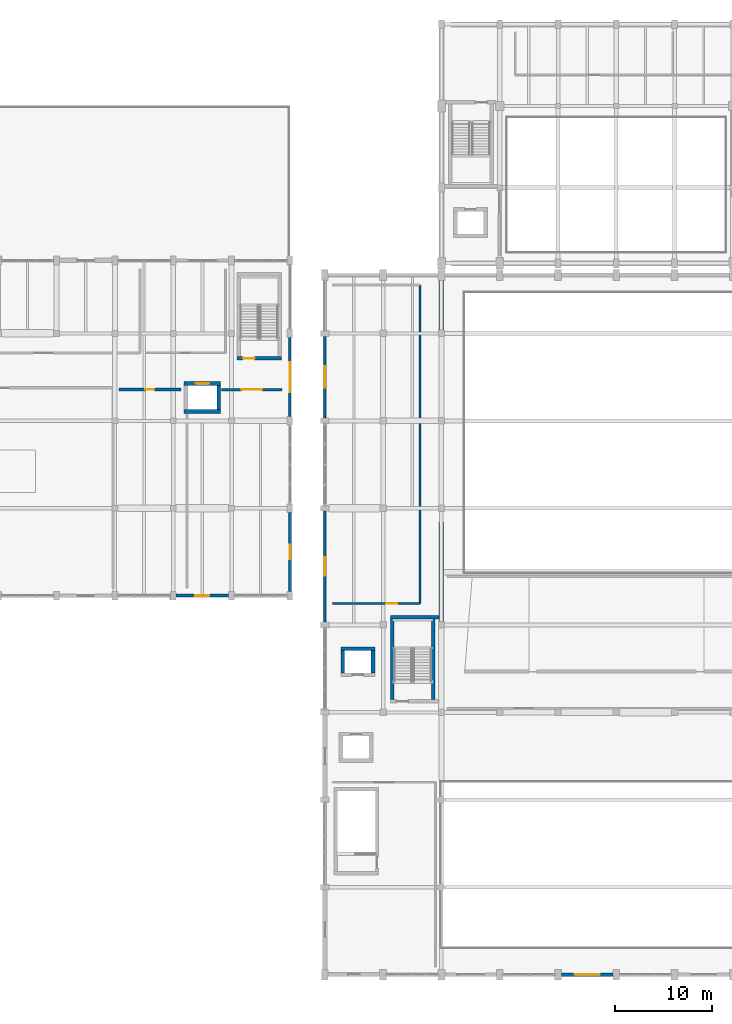
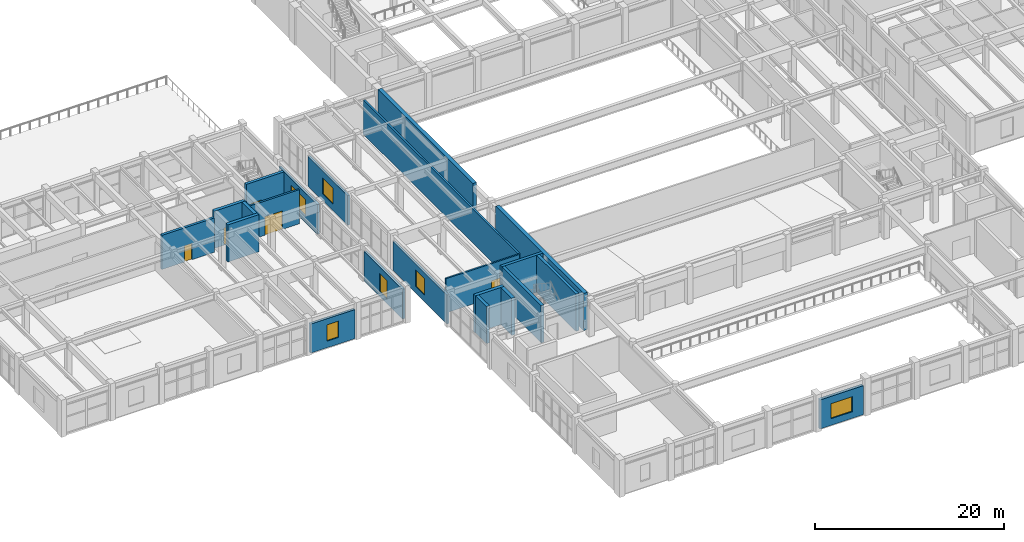
# One storey, part 57 of 80: 22 walls, 6 windows, 5 doors, 11 openings.
"""IFC4 building model written with IfcOpenShell, lengths in metres."""

from ifc_helpers import new_model, si_unit, direction, frame, frame_2d, origin, place, context, subcontext, project, spatial, rectangle, extrude, material, layer, layer_set, type_object, element, fill, save


model = new_model("IFC4")

# Units and contexts
model_context = context("Model", 3, precision=1e-05, world=origin(), true_north=direction((0.0, 1.0)))
body_context = subcontext(model_context, "Body", "Model", "MODEL_VIEW")
ifc_project = project(units=[si_unit("LENGTHUNIT", "METRE"), si_unit("AREAUNIT", "SQUARE_METRE"), si_unit("VOLUMEUNIT", "CUBIC_METRE"), si_unit("PLANEANGLEUNIT", "RADIAN"), si_unit("MASSUNIT", "GRAM", prefix="KILO")], contexts=[model_context])

# Site, building, storey
site_placement = place(None, origin())
site = spatial("IfcSite", under=ifc_project, at=site_placement, CompositionType="ELEMENT")
building_placement = place(site_placement, origin())
building = spatial("IfcBuilding", under=site, at=building_placement, Name="Vaelkrest Opera House", CompositionType="ELEMENT")
storey_placement = place(building_placement, frame((0.0, 0.0, 15.0)))
storey = spatial("IfcBuildingStorey", under=building, at=storey_placement, Name="L03", CompositionType="ELEMENT", Elevation=15.0)

# Wall, opening, window
ifc_material_1 = material(Name="Douglas fir glulam GL28h", Category="wood")
ifc_layer_1 = layer(ifc_material_1, 0.2548828125)
ifc_layer_set_1 = layer_set([ifc_layer_1], Name="Douglas fir glulam GL28h")
wall_type_1 = type_object("IfcWallType", Name="EW01", PredefinedType="STANDARD", material=ifc_layer_set_1)
wall_1_placement = place(storey_placement, frame((-30.0, -19.501953125, 0.0), z_axis=(0.0, 0.0, 1.0), x_axis=(0.0, 1.0, 0.0)))
wall_1 = element("IfcWall", 1, at=wall_1_placement, inside=storey, type_object=wall_type_1, Name="Exterior facade wall EW-V1-L03-0081", PredefinedType="STANDARD", context=body_context, shape_type="SweptSolid", body=[
    extrude(rectangle(XDim=11.404052734375, YDim=0.2548828125, at=frame_2d((5.7021484375, 0.0))), origin(), (0.0, 0.0, 1.0), 3.7451171875),
])
opening_1_placement = place(wall_1_placement, frame((4.751953125, 0.0, 0.85009765625)))
opening_1 = element("IfcOpeningElement", 2, at=opening_1_placement, cuts=wall_1, Name="Opening WN042", PredefinedType="OPENING", context=body_context, shape_type="SweptSolid", body=[
    extrude(rectangle(XDim=1.89990234375, YDim=2.10009765625, at=frame_2d((0.949951171875, 1.050048828125))), frame((0.0, 0.137451171875, 0.0), z_axis=(0.0, -1.0, 0.0), x_axis=(1.0, 0.0, 0.0)), (0.0, 0.0, 1.0), 0.27490234375),
])
ifc_material_2 = material(Name="Double low-E insulated glazing", Category="glass")
window_type_1 = type_object("IfcWindowType", Name="WT16", PartitioningType="SINGLE_PANEL", PredefinedType="WINDOW", material=ifc_material_2)
window_1_placement = place(opening_1_placement, origin())
window_1 = element("IfcWindow", 3, at=window_1_placement, inside=storey, type_object=window_type_1, Name="Facade window WN042", OverallHeight=2.10009765625, OverallWidth=1.89990234375, PartitioningType="SINGLE_PANEL", PredefinedType="WINDOW", context=body_context, shape_type="SweptSolid", body=[
    extrude(rectangle(XDim=1.89990234375, YDim=2.10009765625, at=frame_2d((0.949951171875, 1.050048828125))), frame((0.0, 0.030029296875, 0.0), z_axis=(0.0, -1.0, 0.0), x_axis=(1.0, 0.0, 0.0)), (0.0, 0.0, 1.0), 0.06005859375),
])
fill(opening_1, window_1)

ifc_layer_2 = layer(ifc_material_1, 0.27490234375)
ifc_layer_set_2 = layer_set([ifc_layer_2], Name="Douglas fir glulam GL28h")
wall_type_2 = type_object("IfcWallType", Name="EW02", PredefinedType="STANDARD", material=ifc_layer_set_2)
wall_2_placement = place(storey_placement, frame((-30.0, 1.498046875, 0.0), z_axis=(0.0, 0.0, 1.0), x_axis=(0.0, 1.0, 0.0)))
wall_2 = element("IfcWall", 4, at=wall_2_placement, inside=storey, type_object=wall_type_2, Name="Exterior facade wall EW-V1-L03-0082", PredefinedType="STANDARD", context=body_context, shape_type="SweptSolid", body=[
    extrude(rectangle(XDim=8.404052734375, YDim=0.27490234375, at=frame_2d((4.2021484375, 0.0))), origin(), (0.0, 0.0, 1.0), 3.8291015625),
])
opening_2_placement = place(wall_2_placement, frame((3.10205078125, 0.0, 0.85009765625)))
opening_2 = element("IfcOpeningElement", 5, at=opening_2_placement, cuts=wall_2, Name="Opening WN043", PredefinedType="OPENING", context=body_context, shape_type="SweptSolid", body=[
    extrude(rectangle(XDim=2.199951171875, YDim=2.10009765625, at=frame_2d((1.10009765625, 1.050048828125))), frame((0.0, 0.1474609375, 0.0), z_axis=(0.0, -1.0, 0.0), x_axis=(1.0, 0.0, 0.0)), (0.0, 0.0, 1.0), 0.294921875),
])
window_type_2 = type_object("IfcWindowType", Name="WT17", PartitioningType="SINGLE_PANEL", PredefinedType="WINDOW", material=ifc_material_2)
window_2_placement = place(opening_2_placement, origin())
window_2 = element("IfcWindow", 6, at=window_2_placement, inside=storey, type_object=window_type_2, Name="Facade window WN043", OverallHeight=2.10009765625, OverallWidth=2.199951171875, PartitioningType="SINGLE_PANEL", PredefinedType="WINDOW", context=body_context, shape_type="SweptSolid", body=[
    extrude(rectangle(XDim=2.199951171875, YDim=2.10009765625, at=frame_2d((1.10009765625, 1.050048828125))), frame((0.0, 0.030029296875, 0.0), z_axis=(0.0, -1.0, 0.0), x_axis=(1.0, 0.0, 0.0)), (0.0, 0.0, 1.0), 0.06005859375),
])
fill(opening_2, window_2)

wall_3_placement = place(storey_placement, frame((-33.60009765625, 9.751953125, 0.0), z_axis=(0.0, 0.0, 1.0), x_axis=(0.0, -1.0, 0.0)))
wall_3 = element("IfcWall", 7, at=wall_3_placement, inside=storey, type_object=wall_type_2, Name="Exterior facade wall EW-V3-L03-0192", PredefinedType="STANDARD", context=body_context, shape_type="SweptSolid", body=[
    extrude(rectangle(XDim=8.10400390625, YDim=0.27490234375, at=frame_2d((4.052001953125, 0.0))), origin(), (0.0, 0.0, 1.0), 3.8291015625),
])
opening_3_placement = place(wall_3_placement, frame((2.501953125, 0.0, 0.85009765625)))
opening_3 = element("IfcOpeningElement", 8, at=opening_3_placement, cuts=wall_3, Name="Opening WN098", PredefinedType="OPENING", context=body_context, shape_type="SweptSolid", body=[
    extrude(rectangle(XDim=3.10009765625, YDim=2.10009765625, at=frame_2d((1.550048828125, 1.050048828125))), frame((0.0, 0.1474609375, 0.0), z_axis=(0.0, -1.0, 0.0), x_axis=(1.0, 0.0, 0.0)), (0.0, 0.0, 1.0), 0.294921875),
])
window_type_3 = type_object("IfcWindowType", Name="WT20", PartitioningType="SINGLE_PANEL", PredefinedType="WINDOW", material=ifc_material_2)
window_3_placement = place(opening_3_placement, origin())
window_3 = element("IfcWindow", 9, at=window_3_placement, inside=storey, type_object=window_type_3, Name="Facade window WN098", OverallHeight=2.10009765625, OverallWidth=3.10009765625, PartitioningType="SINGLE_PANEL", PredefinedType="WINDOW", context=body_context, shape_type="SweptSolid", body=[
    extrude(rectangle(XDim=3.10009765625, YDim=2.10009765625, at=frame_2d((1.550048828125, 1.050048828125))), frame((0.0, 0.030029296875, 0.0), z_axis=(0.0, -1.0, 0.0), x_axis=(1.0, 0.0, 0.0)), (0.0, 0.0, 1.0), 0.06005859375),
])
fill(opening_3, window_3)

ifc_layer_3 = layer(ifc_material_1, 0.294921875)
ifc_layer_set_3 = layer_set([ifc_layer_3], Name="Douglas fir glulam GL28h")
wall_type_3 = type_object("IfcWallType", Name="EW03", PredefinedType="STANDARD", material=ifc_layer_set_3)
wall_4_placement = place(storey_placement, frame((-33.60009765625, -8.248046875, 0.0), z_axis=(0.0, 0.0, 1.0), x_axis=(0.0, -1.0, 0.0)))
wall_4 = element("IfcWall", 10, at=wall_4_placement, inside=storey, type_object=wall_type_3, Name="Exterior facade wall EW-V3-L03-0193", PredefinedType="STANDARD", context=body_context, shape_type="SweptSolid", body=[
    extrude(rectangle(XDim=8.10400390625, YDim=0.294921875, at=frame_2d((4.052001953125, 0.0))), origin(), (0.0, 0.0, 1.0), 3.8291015625),
])
opening_4_placement = place(wall_4_placement, frame((3.302001953125, 0.0, 0.60009765625)))
opening_4 = element("IfcOpeningElement", 11, at=opening_4_placement, cuts=wall_4, Name="Opening WN099", PredefinedType="OPENING", context=body_context, shape_type="SweptSolid", body=[
    extrude(rectangle(XDim=1.5, YDim=2.35009765625, at=frame_2d((0.75, 1.175048828125))), frame((0.0, 0.157470703125, 0.0), z_axis=(0.0, -1.0, 0.0), x_axis=(1.0, 0.0, 0.0)), (0.0, 0.0, 1.0), 0.31494140625),
])
window_type_4 = type_object("IfcWindowType", Name="WT21", PartitioningType="SINGLE_PANEL", PredefinedType="WINDOW", material=ifc_material_2)
window_4_placement = place(opening_4_placement, origin())
window_4 = element("IfcWindow", 12, at=window_4_placement, inside=storey, type_object=window_type_4, Name="Facade window WN099", OverallHeight=2.35009765625, OverallWidth=1.5, PartitioningType="SINGLE_PANEL", PredefinedType="WINDOW", context=body_context, shape_type="SweptSolid", body=[
    extrude(rectangle(XDim=1.5, YDim=2.35009765625, at=frame_2d((0.75, 1.175048828125))), frame((0.0, 0.030029296875, 0.0), z_axis=(0.0, -1.0, 0.0), x_axis=(1.0, 0.0, 0.0)), (0.0, 0.0, 1.0), 0.06005859375),
])
fill(opening_4, window_4)

ifc_material_3 = material(Name="American black walnut acoustic timber", Category="wood")
ifc_layer_4 = layer(ifc_material_3, 0.31494140625)
ifc_layer_set_4 = layer_set([ifc_layer_4], Name="American black walnut acoustic timber")
wall_type_4 = type_object("IfcWallType", Name="EW04", PredefinedType="STANDARD", material=ifc_layer_set_4)
wall_5_placement = place(storey_placement, frame((-39.89794921875, -16.800048828125, 0.0), z_axis=(0.0, 0.0, 1.0), x_axis=(-1.0, 0.0, 0.0)))
wall_5 = element("IfcWall", 13, at=wall_5_placement, inside=storey, type_object=wall_type_4, Name="Exterior facade wall EW-V3-L03-0184", PredefinedType="STANDARD", context=body_context, shape_type="SweptSolid", body=[
    extrude(rectangle(XDim=5.404052734375, YDim=0.31494140625, at=frame_2d((2.7021484375, 0.0))), origin(), (0.0, 0.0, 1.0), 3.7451171875),
])
opening_5_placement = place(wall_5_placement, frame((1.97705078125, 0.0, 0.85009765625)))
opening_5 = element("IfcOpeningElement", 14, at=opening_5_placement, cuts=wall_5, Name="Opening WN092", PredefinedType="OPENING", context=body_context, shape_type="SweptSolid", body=[
    extrude(rectangle(XDim=1.449951171875, YDim=2.10009765625, at=frame_2d((0.72509765625, 1.050048828125))), frame((0.0, 0.16748046875, 0.0), z_axis=(0.0, -1.0, 0.0), x_axis=(1.0, 0.0, 0.0)), (0.0, 0.0, 1.0), 0.3349609375),
])
window_type_5 = type_object("IfcWindowType", Name="WT14", PartitioningType="SINGLE_PANEL", PredefinedType="WINDOW", material=ifc_material_2)
window_5_placement = place(opening_5_placement, origin())
window_5 = element("IfcWindow", 15, at=window_5_placement, inside=storey, type_object=window_type_5, Name="Facade window WN092", OverallHeight=2.10009765625, OverallWidth=1.449951171875, PartitioningType="SINGLE_PANEL", PredefinedType="WINDOW", context=body_context, shape_type="SweptSolid", body=[
    extrude(rectangle(XDim=1.449951171875, YDim=2.10009765625, at=frame_2d((0.72509765625, 1.050048828125))), frame((0.0, 0.030029296875, 0.0), z_axis=(0.0, -1.0, 0.0), x_axis=(1.0, 0.0, 0.0)), (0.0, 0.0, 1.0), 0.06005859375),
])
fill(opening_5, window_5)

ifc_layer_5 = layer(ifc_material_3, 0.360107421875)
ifc_layer_set_5 = layer_set([ifc_layer_5], Name="American black walnut acoustic timber")
wall_type_5 = type_object("IfcWallType", Name="EW06", PredefinedType="STANDARD", material=ifc_layer_set_5)
wall_6_placement = place(storey_placement, frame((-0.347900390625, -55.800048828125, 0.0), z_axis=(0.0, 0.0, 1.0), x_axis=(-1.0, 0.0, 0.0)))
wall_6 = element("IfcWall", 16, at=wall_6_placement, inside=storey, type_object=wall_type_5, Name="Exterior facade wall EW-V1-L03-0076", PredefinedType="STANDARD", context=body_context, shape_type="SweptSolid", body=[
    extrude(rectangle(XDim=5.30419921875, YDim=0.360107421875, at=frame_2d((2.652099609375, 0.0))), origin(), (0.0, 0.0, 1.0), 3.7451171875),
])
opening_6_placement = place(wall_6_placement, frame((1.35205078125, 0.0, 0.85009765625)))
opening_6 = element("IfcOpeningElement", 17, at=opening_6_placement, cuts=wall_6, Name="Opening WN037", PredefinedType="OPENING", context=body_context, shape_type="SweptSolid", body=[
    extrude(rectangle(XDim=2.60009765625, YDim=1.949951171875, at=frame_2d((1.300048828125, 0.97509765625))), frame((0.0, 0.18994140625, 0.0), z_axis=(0.0, -1.0, 0.0), x_axis=(1.0, 0.0, 0.0)), (0.0, 0.0, 1.0), 0.380126953125),
])
window_type_6 = type_object("IfcWindowType", Name="WT11", PartitioningType="SINGLE_PANEL", PredefinedType="WINDOW", material=ifc_material_2)
window_6_placement = place(opening_6_placement, origin())
window_6 = element("IfcWindow", 18, at=window_6_placement, inside=storey, type_object=window_type_6, Name="Facade window WN037", OverallHeight=1.949951171875, OverallWidth=2.60009765625, PartitioningType="SINGLE_PANEL", PredefinedType="WINDOW", context=body_context, shape_type="SweptSolid", body=[
    extrude(rectangle(XDim=2.60009765625, YDim=1.949951171875, at=frame_2d((1.300048828125, 0.97509765625))), frame((0.0, 0.030029296875, 0.0), z_axis=(0.0, -1.0, 0.0), x_axis=(1.0, 0.0, 0.0)), (0.0, 0.0, 1.0), 0.06005859375),
])
fill(opening_6, window_6)

# Wall, opening, door
ifc_material_4 = material(Name="Gypsum acoustic board", Category="gypsum")
ifc_layer_6 = layer(ifc_material_4, 0.195068359375)
ifc_layer_set_6 = layer_set([ifc_layer_6], Name="Gypsum acoustic board")
wall_type_6 = type_object("IfcWallType", Name="PT06", PredefinedType="PARTITIONING", material=ifc_layer_set_6)
wall_7_placement = place(storey_placement, frame((-29.199951171875, -17.60009765625, 0.0), z_axis=(0.0, 0.0, 1.0), x_axis=(1.0, 0.0, 0.0)))
wall_7 = element("IfcWall", 19, at=wall_7_placement, inside=storey, type_object=wall_type_6, Name="Interior partition PT-V1-L03-0090", PredefinedType="PARTITIONING", context=body_context, shape_type="SweptSolid", body=[
    extrude(rectangle(XDim=9.0, YDim=0.195068359375, at=frame_2d((4.5, 0.0))), origin(), (0.0, 0.0, 1.0), 4.419921875),
])
opening_7_placement = place(wall_7_placement, frame((5.535888671875, 0.0, 0.0)))
opening_7 = element("IfcOpeningElement", 20, at=opening_7_placement, cuts=wall_7, Name="Opening D036", PredefinedType="OPENING", context=body_context, shape_type="SweptSolid", body=[
    extrude(rectangle(XDim=1.10009765625, YDim=2.199951171875, at=frame_2d((0.550048828125, 1.10009765625))), frame((0.0, 0.107421875, 0.0), z_axis=(0.0, -1.0, 0.0), x_axis=(1.0, 0.0, 0.0)), (0.0, 0.0, 1.0), 0.215087890625),
])
door_type_1 = type_object("IfcDoorType", Name="DT06", OperationType="NOTDEFINED", PredefinedType="DOOR", material=ifc_material_3)
door_1_placement = place(opening_7_placement, origin())
door_1 = element("IfcDoor", 21, at=door_1_placement, inside=storey, type_object=door_type_1, Name="Interior door D036 (Lecture Recital Salon)", OperationType="SINGLE_SWING_LEFT", OverallHeight=2.199951171875, OverallWidth=1.10009765625, PredefinedType="DOOR", context=body_context, shape_type="SweptSolid", body=[
    extrude(rectangle(XDim=1.10009765625, YDim=2.199951171875, at=frame_2d((0.550048828125, 1.10009765625))), frame((0.0, 0.02490234375, 0.0), z_axis=(0.0, -1.0, 0.0), x_axis=(1.0, 0.0, 0.0)), (0.0, 0.0, 1.0), 0.050048828125),
])
fill(opening_7, door_1)

# Wall
ifc_layer_7 = layer(ifc_material_3, 0.22509765625)
ifc_layer_set_7 = layer_set([ifc_layer_7], Name="American black walnut acoustic timber")
wall_type_7 = type_object("IfcWallType", Name="PT08", PredefinedType="PARTITIONING", material=ifc_layer_set_7)
wall_8_placement = place(storey_placement, frame((-20.199951171875, -17.60009765625, 0.0), z_axis=(0.0, 0.0, 1.0), x_axis=(0.0, 1.0, 0.0)))
element("IfcWall", 22, at=wall_8_placement, inside=storey, type_object=wall_type_7, Name="Interior partition PT-V1-L03-0092", PredefinedType="PARTITIONING", context=body_context, shape_type="SweptSolid", body=[
    extrude(rectangle(XDim=32.800048828125, YDim=0.22509765625, at=frame_2d((16.39990234375, 0.0))), origin(), (0.0, 0.0, 1.0), 4.419921875),
])

# Wall, opening, door
wall_9_placement = place(storey_placement, frame((-40.64990234375, 4.39990234375, 0.0), z_axis=(0.0, 0.0, 1.0), x_axis=(1.0, 0.0, 0.0)))
wall_9 = element("IfcWall", 23, at=wall_9_placement, inside=storey, type_object=wall_type_7, Name="Interior partition PT-V3-L03-0312", PredefinedType="PARTITIONING", context=body_context, shape_type="SweptSolid", body=[
    extrude(rectangle(XDim=6.25, YDim=0.22509765625, at=frame_2d((3.125, 0.0))), origin(), (0.0, 0.0, 1.0), 4.419921875),
])
opening_8_placement = place(wall_9_placement, frame((2.050048828125, 0.0, 0.0)))
opening_8 = element("IfcOpeningElement", 24, at=opening_8_placement, cuts=wall_9, Name="Opening D125", PredefinedType="OPENING", context=body_context, shape_type="SweptSolid", body=[
    extrude(rectangle(XDim=2.14990234375, YDim=2.39990234375, at=frame_2d((1.074951171875, 1.199951171875))), frame((0.0, 0.12255859375, 0.0), z_axis=(0.0, -1.0, 0.0), x_axis=(1.0, 0.0, 0.0)), (0.0, 0.0, 1.0), 0.2451171875),
])
door_type_2 = type_object("IfcDoorType", Name="DT17", OperationType="DOUBLE_DOOR_SINGLE_SWING", PredefinedType="DOOR", material=ifc_material_3)
door_2_placement = place(opening_8_placement, origin())
door_2 = element("IfcDoor", 25, at=door_2_placement, inside=storey, type_object=door_type_2, Name="Interior door D125 (Choreography Studio)", OperationType="DOUBLE_DOOR_SINGLE_SWING", OverallHeight=2.39990234375, OverallWidth=2.14990234375, PredefinedType="DOOR", context=body_context, shape_type="SweptSolid", body=[
    extrude(rectangle(XDim=2.14990234375, YDim=2.39990234375, at=frame_2d((1.074951171875, 1.199951171875))), frame((0.0, 0.02490234375, 0.0), z_axis=(0.0, -1.0, 0.0), x_axis=(1.0, 0.0, 0.0)), (0.0, 0.0, 1.0), 0.050048828125),
])
fill(opening_8, door_2)

ifc_material_5 = material(Name="Concrete C40/50", Category="concrete")
ifc_layer_8 = layer(ifc_material_5, 0.304931640625)
ifc_layer_set_8 = layer_set([ifc_layer_8], Name="Concrete C40/50")
wall_type_8 = type_object("IfcWallType", Name="PT12", PredefinedType="PARTITIONING", material=ifc_layer_set_8)
wall_10_placement = place(storey_placement, frame((-51.199951171875, 4.39990234375, 0.0), z_axis=(0.0, 0.0, 1.0), x_axis=(1.0, 0.0, 0.0)))
wall_10 = element("IfcWall", 26, at=wall_10_placement, inside=storey, type_object=wall_type_8, Name="Interior partition PT-V3-L03-0306", PredefinedType="PARTITIONING", context=body_context, shape_type="SweptSolid", body=[
    extrude(rectangle(XDim=6.39990234375, YDim=0.304931640625, at=frame_2d((3.199951171875, 0.0))), origin(), (0.0, 0.0, 1.0), 4.419921875),
])
opening_9_placement = place(wall_10_placement, frame((2.72998046875, 0.0, 0.0)))
opening_9 = element("IfcOpeningElement", 27, at=opening_9_placement, cuts=wall_10, Name="Opening D122", PredefinedType="OPENING", context=body_context, shape_type="SweptSolid", body=[
    extrude(rectangle(XDim=0.93994140625, YDim=2.10009765625, at=frame_2d((0.469970703125, 1.050048828125))), frame((0.0, 0.162353515625, 0.0), z_axis=(0.0, -1.0, 0.0), x_axis=(1.0, 0.0, 0.0)), (0.0, 0.0, 1.0), 0.324951171875),
])
door_type_3 = type_object("IfcDoorType", Name="DT02", OperationType="NOTDEFINED", PredefinedType="DOOR", material=ifc_material_3)
door_3_placement = place(opening_9_placement, origin())
door_3 = element("IfcDoor", 28, at=door_3_placement, inside=storey, type_object=door_type_3, Name="Interior door D122 (Education Studio)", OperationType="SINGLE_SWING_RIGHT", OverallHeight=2.10009765625, OverallWidth=0.93994140625, PredefinedType="DOOR", context=body_context, shape_type="SweptSolid", body=[
    extrude(rectangle(XDim=0.93994140625, YDim=2.10009765625, at=frame_2d((0.469970703125, 1.050048828125))), frame((0.0, 0.02490234375, 0.0), z_axis=(0.0, -1.0, 0.0), x_axis=(1.0, 0.0, 0.0)), (0.0, 0.0, 1.0), 0.050048828125),
])
fill(opening_9, door_3)

# Walls
ifc_material_6 = material(Name="Concrete C50/60", Category="concrete")
ifc_layer_9 = layer(ifc_material_6, 0.35009765625)
ifc_layer_set_9 = layer_set([ifc_layer_9], Name="Concrete C50/60")
wall_type_9 = type_object("IfcWallType", Name="SW01", PredefinedType="SHEAR", material=ifc_layer_set_9)
wall_11_placement = place(storey_placement, frame((-23.074951171875, -27.5, 0.0), z_axis=(0.0, 0.0, 1.0), x_axis=(0.0, 1.0, 0.0)))
element("IfcWall", 29, at=wall_11_placement, inside=storey, type_object=wall_type_9, Name="Stair core ST01 wall L03 W", PredefinedType="SHEAR", context=body_context, shape_type="SweptSolid", body=[
    extrude(rectangle(XDim=8.300048828125, YDim=0.35009765625, at=frame_2d((4.14990234375, 0.0))), origin(), (0.0, 0.0, 1.0), 4.800048828125),
])
wall_12_placement = place(storey_placement, frame((-23.25, -19.02490234375, 0.0), z_axis=(0.0, 0.0, 1.0), x_axis=(1.0, 0.0, 0.0)))
element("IfcWall", 30, at=wall_12_placement, inside=storey, type_object=wall_type_9, Name="Stair core ST01 wall L03 N", PredefinedType="SHEAR", context=body_context, shape_type="SweptSolid", body=[
    extrude(rectangle(XDim=5.02490234375, YDim=0.35009765625, at=frame_2d((2.512451171875, 0.0))), origin(), (0.0, 0.0, 1.0), 4.800048828125),
])
wall_13_placement = place(storey_placement, frame((-18.824951171875, -19.199951171875, 0.0), z_axis=(0.0, 0.0, 1.0), x_axis=(0.0, -1.0, 0.0)))
element("IfcWall", 31, at=wall_13_placement, inside=storey, type_object=wall_type_9, Name="Stair core ST01 wall L03 E", PredefinedType="SHEAR", context=body_context, shape_type="SweptSolid", body=[
    extrude(rectangle(XDim=8.300048828125, YDim=0.35009765625, at=frame_2d((4.14990234375, 0.0))), origin(), (0.0, 0.0, 1.0), 4.800048828125),
])

# Wall, opening, door
wall_14_placement = place(storey_placement, frame((-34.449951171875, 7.625, 0.0), z_axis=(0.0, 0.0, 1.0), x_axis=(-1.0, 0.0, 0.0)))
wall_14 = element("IfcWall", 32, at=wall_14_placement, inside=storey, type_object=wall_type_9, Name="Stair core ST08 wall L03 S", PredefinedType="SHEAR", context=body_context, shape_type="SweptSolid", body=[
    extrude(rectangle(XDim=4.60009765625, YDim=0.35009765625, at=frame_2d((2.300048828125, 0.0))), origin(), (0.0, 0.0, 1.0), 4.800048828125),
])
opening_10_placement = place(wall_14_placement, frame((2.77001953125, 0.0, 0.0)))
opening_10 = element("IfcOpeningElement", 33, at=opening_10_placement, cuts=wall_14, Name="Opening SD-ST08-L03", PredefinedType="OPENING", context=body_context, shape_type="SweptSolid", body=[
    extrude(rectangle(XDim=1.179931640625, YDim=2.14990234375, at=frame_2d((0.58984375, 1.074951171875))), frame((0.0, 0.18505859375, 0.0), z_axis=(0.0, -1.0, 0.0), x_axis=(1.0, 0.0, 0.0)), (0.0, 0.0, 1.0), 0.3701171875),
])
door_type_4 = type_object("IfcDoorType", Name="DT07", OperationType="NOTDEFINED", PredefinedType="DOOR", material=ifc_material_3)
door_4_placement = place(opening_10_placement, origin())
door_4 = element("IfcDoor", 34, at=door_4_placement, inside=storey, type_object=door_type_4, Name="Protected stair door SD-ST08-L03", OperationType="SINGLE_SWING_RIGHT", OverallHeight=2.14990234375, OverallWidth=1.179931640625, PredefinedType="DOOR", context=body_context, shape_type="SweptSolid", body=[
    extrude(rectangle(XDim=1.179931640625, YDim=2.14990234375, at=frame_2d((0.58984375, 1.074951171875))), frame((0.0, 0.02490234375, 0.0), z_axis=(0.0, -1.0, 0.0), x_axis=(1.0, 0.0, 0.0)), (0.0, 0.0, 1.0), 0.050048828125),
])
fill(opening_10, door_4)

# Walls
ifc_layer_10 = layer(ifc_material_6, 0.389892578125)
ifc_layer_set_10 = layer_set([ifc_layer_10], Name="Concrete C50/60")
wall_type_10 = type_object("IfcWallType", Name="SW02", PredefinedType="SHEAR", material=ifc_layer_set_10)
wall_15_placement = place(storey_placement, frame((-28.340087890625, -22.2548828125, 0.0), z_axis=(0.0, 0.0, 1.0), x_axis=(1.0, 0.0, 0.0)))
element("IfcWall", 35, at=wall_15_placement, inside=storey, type_object=wall_type_10, Name="Lift shaft LP01 wall L03 N", PredefinedType="SHEAR", context=body_context, shape_type="SweptSolid", body=[
    extrude(rectangle(XDim=3.47998046875, YDim=0.389892578125, at=frame_2d((1.739990234375, 0.0))), origin(), (0.0, 0.0, 1.0), 4.800048828125),
])
for number, where, z_axis, x_axis, name in (
    (36, (-28.14501953125, -24.75, 0.0), (0.0, 0.0, 1.0), (0.0, 1.0, 0.0), "Lift shaft LP01 wall L03 W"),
    (37, (-25.054931640625, -22.449951171875, 0.0), (0.0, 0.0, 1.0), (0.0, -1.0, 0.0), "Lift shaft LP01 wall L03 E"),
):
    element("IfcWall", number, at=place(storey_placement, frame(where, z_axis=z_axis, x_axis=x_axis)), inside=storey, type_object=wall_type_10, Name=name, PredefinedType="SHEAR", context=body_context, shape_type="SweptSolid", body=[
        extrude(rectangle(XDim=2.300048828125, YDim=0.389892578125, at=frame_2d((1.14990234375, 0.0))), origin(), (0.0, 0.0, 1.0), 4.800048828125),
    ])
wall_16_placement = place(storey_placement, frame((-40.7099609375, 2.155029296875, 0.0), z_axis=(0.0, 0.0, 1.0), x_axis=(-1.0, 0.0, 0.0)))
element("IfcWall", 38, at=wall_16_placement, inside=storey, type_object=wall_type_10, Name="Lift shaft LP05 wall L03 S", PredefinedType="SHEAR", context=body_context, shape_type="SweptSolid", body=[
    extrude(rectangle(XDim=3.780029296875, YDim=0.389892578125, at=frame_2d((1.89013671875, 0.0))), origin(), (0.0, 0.0, 1.0), 4.800048828125),
])

# Wall, opening, door
wall_17_placement = place(storey_placement, frame((-44.489990234375, 5.044921875, 0.0), z_axis=(0.0, 0.0, 1.0), x_axis=(1.0, 0.0, 0.0)))
wall_17 = element("IfcWall", 39, at=wall_17_placement, inside=storey, type_object=wall_type_10, Name="Lift shaft LP05 wall L03 N", PredefinedType="SHEAR", context=body_context, shape_type="SweptSolid", body=[
    extrude(rectangle(XDim=3.780029296875, YDim=0.389892578125, at=frame_2d((1.89013671875, 0.0))), origin(), (0.0, 0.0, 1.0), 4.800048828125),
])
opening_11_placement = place(wall_17_placement, frame((1.18994140625, 0.0, 0.0)))
opening_11 = element("IfcOpeningElement", 40, at=opening_11_placement, cuts=wall_17, Name="Opening LD-LP05-L03", PredefinedType="OPENING", context=body_context, shape_type="SweptSolid", body=[
    extrude(rectangle(XDim=1.39990234375, YDim=2.199951171875, at=frame_2d((0.699951171875, 1.10009765625))), frame((0.0, 0.204833984375, 0.0), z_axis=(0.0, -1.0, 0.0), x_axis=(1.0, 0.0, 0.0)), (0.0, 0.0, 1.0), 0.409912109375),
])
ifc_material_7 = material(Name="Dark bronze anodized aluminium", Category="aluminium")
door_type_5 = type_object("IfcDoorType", Name="LDT02", OperationType="SLIDING_TO_LEFT", PredefinedType="DOOR", material=ifc_material_7)
door_5_placement = place(opening_11_placement, origin())
door_5 = element("IfcDoor", 41, at=door_5_placement, inside=storey, type_object=door_type_5, Name="Lift landing sliding door LD-LP05-L03", OperationType="SLIDING_TO_LEFT", OverallHeight=2.199951171875, OverallWidth=1.39990234375, PredefinedType="DOOR", context=body_context, shape_type="SweptSolid", body=[
    extrude(rectangle(XDim=1.39990234375, YDim=2.199951171875, at=frame_2d((0.699951171875, 1.10009765625))), frame((0.0, 0.02490234375, 0.0), z_axis=(0.0, -1.0, 0.0), x_axis=(1.0, 0.0, 0.0)), (0.0, 0.0, 1.0), 0.050048828125),
])
fill(opening_11, door_5)

# Walls
wall_18_placement = place(storey_placement, frame((-40.905029296875, 4.85009765625, 0.0), z_axis=(0.0, 0.0, 1.0), x_axis=(0.0, -1.0, 0.0)))
element("IfcWall", 42, at=wall_18_placement, inside=storey, type_object=wall_type_10, Name="Lift shaft LP05 wall L03 E", PredefinedType="SHEAR", context=body_context, shape_type="SweptSolid", body=[
    extrude(rectangle(XDim=2.5, YDim=0.389892578125, at=frame_2d((1.25, 0.0))), origin(), (0.0, 0.0, 1.0), 4.800048828125),
])
ifc_layer_11 = layer(ifc_material_6, 0.449951171875)
ifc_layer_set_11 = layer_set([ifc_layer_11], Name="Concrete C50/60")
wall_type_11 = type_object("IfcWallType", Name="SW03", PredefinedType="SHEAR", material=ifc_layer_set_11)
wall_19_placement = place(storey_placement, frame((-18.0, -27.800048828125, 0.0), z_axis=(0.0, 0.0, 1.0), x_axis=(0.0, 1.0, 0.0)))
element("IfcWall", 43, at=wall_19_placement, inside=storey, type_object=wall_type_11, Name="Auditorium shell wall W1 L03", PredefinedType="SHEAR", context=body_context, shape_type="SweptSolid", body=[
    extrude(rectangle(XDim=18.60009765625, YDim=0.449951171875, at=frame_2d((9.300048828125, 0.0))), origin(), (0.0, 0.0, 1.0), 4.800048828125),
])
wall_20_placement = place(storey_placement, frame((-18.0, -4.39990234375, 0.0), z_axis=(0.0, 0.0, 1.0), x_axis=(0.0, 1.0, 0.0)))
element("IfcWall", 44, at=wall_20_placement, inside=storey, type_object=wall_type_11, Name="Auditorium shell wall W2 L03", PredefinedType="SHEAR", context=body_context, shape_type="SweptSolid", body=[
    extrude(rectangle(XDim=20.0498046875, YDim=0.449951171875, at=frame_2d((10.02490234375, 0.0))), origin(), (0.0, 0.0, 1.0), 4.800048828125),
])

save(model, "model.ifc")
